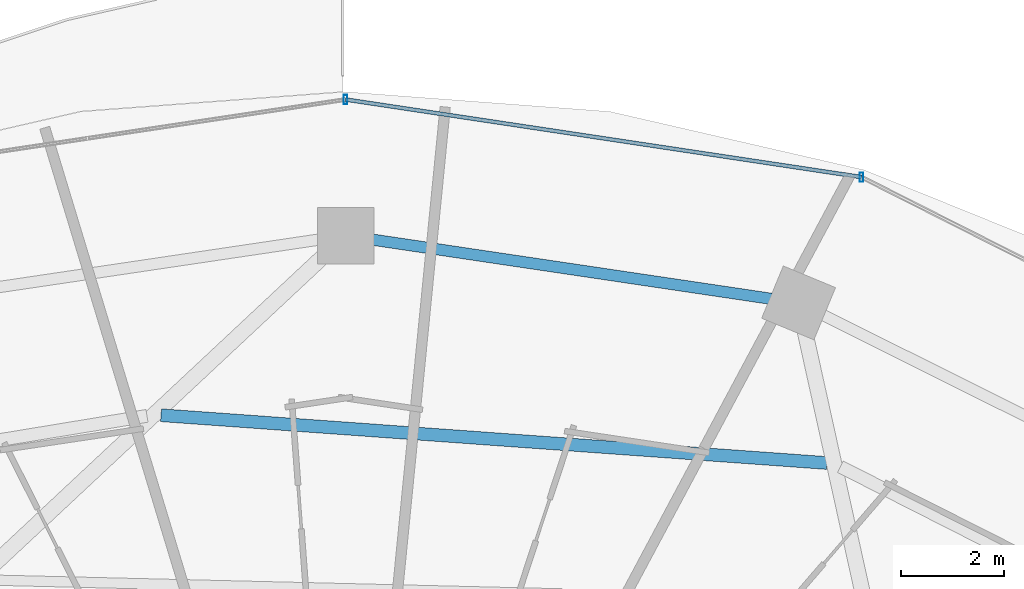
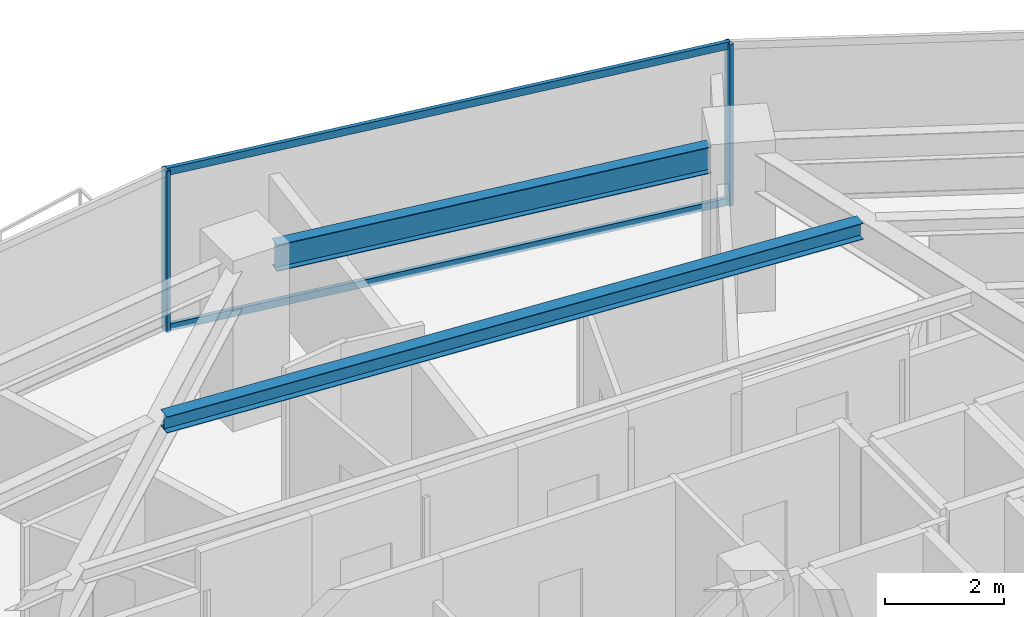
# One storey, part 18 of 29: 4 members, 2 beams, 1 element without a shape of its own.
"""IFC4 building model written with IfcOpenShell, lengths in metres."""

from ifc_helpers import new_model, si_unit, direction, frame, origin, origin_2d, place, context, subcontext, project, spatial, hollow_rectangle, i_section, extrude, material, material_profile, profile_set, type_object, element, aggregate, save


model = new_model("IFC4")

# Units and contexts
model_context = context("Model", 3, precision=1e-05, world=origin(), true_north=direction((0.0, 1.0)))
body_context = subcontext(model_context, "Body", "Model", "MODEL_VIEW")
ifc_project = project(units=[si_unit("LENGTHUNIT", "METRE"), si_unit("AREAUNIT", "SQUARE_METRE"), si_unit("VOLUMEUNIT", "CUBIC_METRE"), si_unit("PLANEANGLEUNIT", "RADIAN"), si_unit("MASSUNIT", "GRAM", prefix="KILO")], contexts=[model_context])

# Site, building, storey
site_placement = place(None, origin())
site = spatial("IfcSite", under=ifc_project, at=site_placement, CompositionType="ELEMENT")
building_placement = place(site_placement, origin())
building = spatial("IfcBuilding", under=site, at=building_placement, Name="Vorneva Point Tower", CompositionType="ELEMENT")
storey_placement = place(building_placement, frame((0.0, 0.0, 113.800048828125)))
storey = spatial("IfcBuildingStorey", under=building, at=storey_placement, Name="L30", CompositionType="ELEMENT", Elevation=113.800048828125)

# Beams
ifc_material_1 = material(Name="Steel S355", Category="steel")
ifc_material_profile_1 = material_profile(ifc_material_1, i_section(OverallWidth=0.2490234375, OverallDepth=0.333984375, WebThickness=0.008056640625, FlangeThickness=0.010986328125, at=origin_2d()), Name="35Sh1")
ifc_profile_set_1 = profile_set([ifc_material_profile_1], Name="Steel S355")
beam_type_1 = type_object("IfcBeamType", Name="BM-SEC-35Sh1", PredefinedType="BEAM", material=ifc_profile_set_1)
beam_1_placement = place(storey_placement, frame((47.373291015625, 38.773681640625, 3.072998046875), z_axis=(-0.997434711896, 0.07158208928, 0.0), x_axis=(-0.07158208928, -0.997434711896, 0.0)))
element("IfcBeam", 1, at=beam_1_placement, inside=storey, type_object=beam_type_1, Name="L30 Secondary Floor Beam 1.04", PredefinedType="BEAM", context=body_context, shape_type="SweptSolid", body=[
    extrude(i_section(OverallWidth=0.2490234375, OverallDepth=0.333984375, WebThickness=0.008056640625, FlangeThickness=0.010986328125, at=origin_2d()), origin(), (0.0, 0.0, 1.0), 12.998046875),
])
ifc_material_profile_2 = material_profile(ifc_material_1, i_section(OverallWidth=0.219970703125, OverallDepth=0.54296875, WebThickness=0.009521484375, FlangeThickness=0.013427734375, at=origin_2d()), Name="55B1")
ifc_profile_set_2 = profile_set([ifc_material_profile_2], Name="Steel S355")
beam_type_2 = type_object("IfcBeamType", Name="BM-SPN-55B1", PredefinedType="SPANDREL", material=ifc_profile_set_2)
beam_2_placement = place(storey_placement, frame((46.291748046875, 41.96923828125, 2.968505859375), z_axis=(-0.989164507783, 0.146811363806, 0.0), x_axis=(-0.146811363806, -0.989164507783, 0.0)))
element("IfcBeam", 2, at=beam_2_placement, inside=storey, type_object=beam_type_2, Name="L30 Perimeter Spandrel Ring Beam 04", PredefinedType="SPANDREL", context=body_context, shape_type="SweptSolid", body=[
    extrude(i_section(OverallWidth=0.219970703125, OverallDepth=0.54296875, WebThickness=0.009521484375, FlangeThickness=0.013427734375, at=origin_2d()), origin(), (0.0, 0.0, 1.0), 7.847412109375),
])

# Curtain wall, members
ifc_material_2 = material(Name="Pale anodised aluminium", Category="aluminium")
curtain_wall_type = type_object("IfcCurtainWallType", Name="CW-HTL-SYS", PredefinedType="NOTDEFINED", material=ifc_material_2)
curtain_wall_placement = place(storey_placement, origin())
curtain_wall = element("IfcCurtainWall", 3, at=curtain_wall_placement, inside=storey, type_object=curtain_wall_type, Name="L30 Unitised Curtain Wall CW-L30-R02", PredefinedType="NOTDEFINED")
ifc_material_profile_3 = material_profile(ifc_material_2, hollow_rectangle(XDim=0.074951171875, YDim=0.179931640625, WallThickness=0.00390625, at=origin_2d()), Name="AL-MUL 180x75x4")
ifc_profile_set_3 = profile_set([ifc_material_profile_3], Name="Pale anodised aluminium")
member_type_1 = type_object("IfcMemberType", Name="CW-MUL-180", PredefinedType="MULLION", material=ifc_profile_set_3)
member_1_placement = place(storey_placement, frame((48.04541015625, 44.339111328125, -0.0400390625), z_axis=(0.0, 0.0, 1.0), x_axis=(1.0, 0.0, 0.0)))
member_1 = element("IfcMember", 4, at=member_1_placement, type_object=member_type_1, Name="CW-L30-R02 Mullion 02", PredefinedType="MULLION", context=body_context, shape_type="SweptSolid", body=[
    extrude(hollow_rectangle(XDim=0.074951171875, YDim=0.179931640625, WallThickness=0.00390625, at=origin_2d()), origin(), (0.0, 0.0, 1.0), 3.31005859375),
])
member_2_placement = place(storey_placement, frame((38.0, 45.85009765625, -0.0400390625), z_axis=(0.0, 0.0, 1.0), x_axis=(1.0, 0.0, 0.0)))
member_2 = element("IfcMember", 5, at=member_2_placement, type_object=member_type_1, Name="CW-L30-R02 Mullion 03", PredefinedType="MULLION", context=body_context, shape_type="SweptSolid", body=[
    extrude(hollow_rectangle(XDim=0.074951171875, YDim=0.179931640625, WallThickness=0.00390625, at=origin_2d()), origin(), (0.0, 0.0, 1.0), 3.31005859375),
])
ifc_material_profile_4 = material_profile(ifc_material_2, hollow_rectangle(XDim=0.074951171875, YDim=0.14990234375, WallThickness=0.00390625, at=origin_2d()), Name="AL-TRN 150x75x4")
ifc_profile_set_4 = profile_set([ifc_material_profile_4], Name="Pale anodised aluminium")
member_type_2 = type_object("IfcMemberType", Name="CW-TRN-150", PredefinedType="USERDEFINED", material=ifc_profile_set_4)
member_3_placement = place(storey_placement, frame((48.04541015625, 44.339111328125, 0.02001953125), z_axis=(-0.988875982167, 0.148742367512, 0.0), x_axis=(-0.148742367512, -0.988875982167, 0.0)))
member_3 = element("IfcMember", 6, at=member_3_placement, type_object=member_type_2, Name="CW-L30-R02 Transom 02.1", ObjectType="TRANSOM", PredefinedType="USERDEFINED", context=body_context, shape_type="SweptSolid", body=[
    extrude(hollow_rectangle(XDim=0.074951171875, YDim=0.14990234375, WallThickness=0.00390625, at=origin_2d()), origin(), (0.0, 0.0, 1.0), 10.158447265625),
])
member_4_placement = place(storey_placement, frame((48.04541015625, 44.339111328125, 3.219970703125), z_axis=(-0.988875982167, 0.148742367512, 0.0), x_axis=(-0.148742367512, -0.988875982167, 0.0)))
member_4 = element("IfcMember", 7, at=member_4_placement, type_object=member_type_2, Name="CW-L30-R02 Transom 02.2", ObjectType="TRANSOM", PredefinedType="USERDEFINED", context=body_context, shape_type="SweptSolid", body=[
    extrude(hollow_rectangle(XDim=0.074951171875, YDim=0.14990234375, WallThickness=0.00390625, at=origin_2d()), origin(), (0.0, 0.0, 1.0), 10.158447265625),
])
aggregate(curtain_wall, [member_1, member_2, member_3, member_4])

save(model, "model.ifc")
